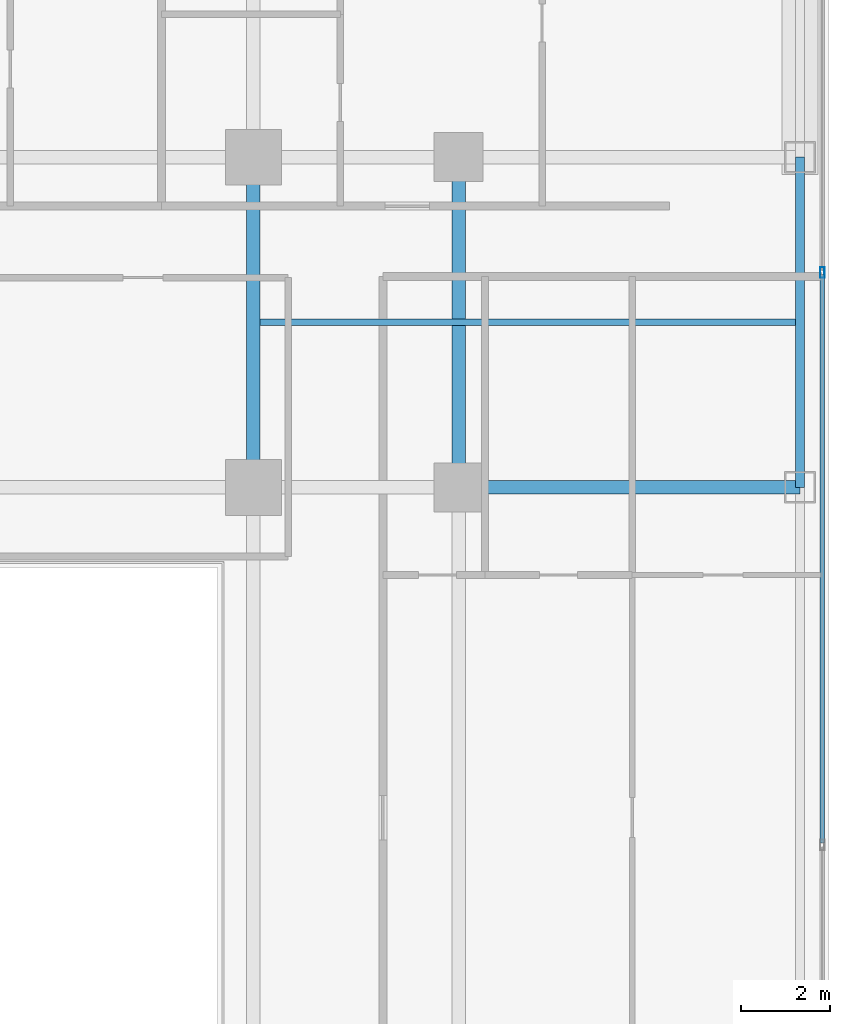
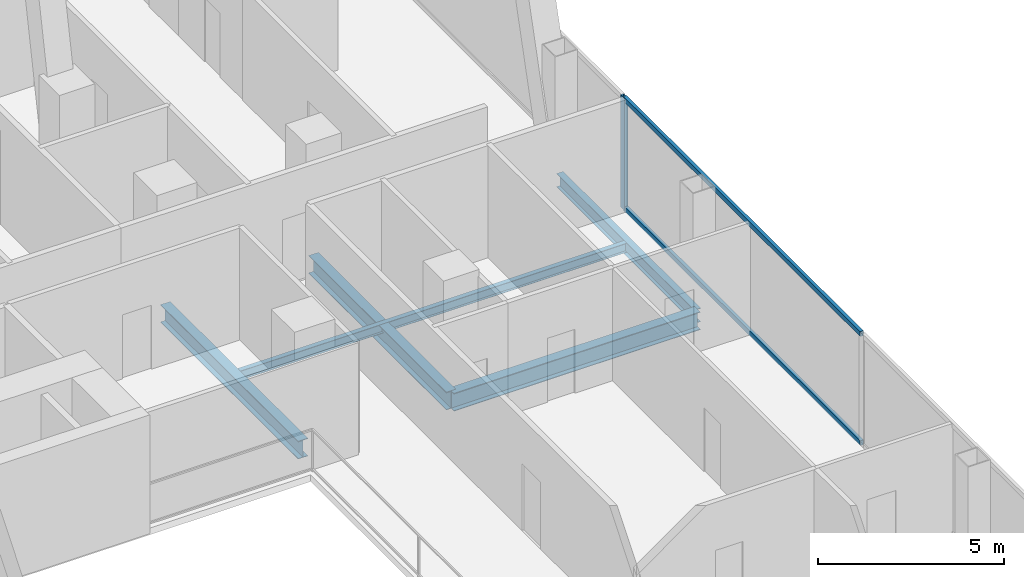
# One storey, part 12 of 28: 5 beams, 3 members, 1 element without a shape of its own.
"""IFC4 building model written with IfcOpenShell, lengths in metres."""

import ifcopenshell
import ifcopenshell.guid

model = None  # the IFC model being written
_history = None  # IfcOwnerHistory: only IFC2X3 demands one
_inside = {}  # id of a spatial element -> (the spatial element, [elements in it])
_under = {}  # id of a project, library or spatial element -> (it, [spatial elements below it])
_declared = {}  # id of a project -> (the project, [libraries it declares])
_typed = {}  # id of a type object -> (the type object, [elements of that type])
_made_of = {}  # id of a material, layer set ... -> (it, [elements and type objects made of it])


def new_model(schema):
    """Start an empty IFC model of exactly this schema.

    Asked for "IFC4X3", IfcOpenShell would pick the latest addendum, in which some entities
    have other attributes; the version numbers below select the first issue.
    IFC2X3 requires an IfcOwnerHistory on every rooted entity: one is made here for all.
    """
    global model, _history
    if schema == "IFC4X3":
        model = ifcopenshell.file(schema_version=(4, 3, 0, 0))
    else:
        model = ifcopenshell.file(schema=schema)
    _inside.clear()
    _under.clear()
    _declared.clear()
    _typed.clear()
    _made_of.clear()
    _history = None
    if model.schema == "IFC2X3":
        org = make("IfcOrganization", Name="unknown")
        user = make(
            "IfcPersonAndOrganization",
            ThePerson=make("IfcPerson", FamilyName="unknown"),
            TheOrganization=org,
        )
        app = make(
            "IfcApplication",
            ApplicationDeveloper=org,
            Version="unknown",
            ApplicationFullName="unknown",
            ApplicationIdentifier="unknown",
        )
        _history = make(
            "IfcOwnerHistory",
            OwningUser=user,
            OwningApplication=app,
            ChangeAction="ADDED",
            CreationDate=0,
        )
    return model


def make(cls, **values):
    """One entity of the class cls with the attributes given. An attribute that is None is left unset."""
    return model.create_entity(
        cls, **{name: value for name, value in values.items() if value is not None}
    )


def rooted(cls, **values):
    """An entity with a GlobalId (a new one), such as an element, a storey or a relation."""
    return make(cls, GlobalId=ifcopenshell.guid.new(), OwnerHistory=_history, **values)


def si_unit(unit_type, name, prefix=None):
    """IfcSIUnit, for example si_unit("LENGTHUNIT", "METRE", prefix="MILLI")."""
    return make("IfcSIUnit", UnitType=unit_type, Prefix=prefix, Name=name)


def assignment(units):
    """IfcUnitAssignment: the units of a project."""
    return None if units is None else make("IfcUnitAssignment", Units=units)


def point(xyz):
    """IfcCartesianPoint."""
    return None if xyz is None else make("IfcCartesianPoint", Coordinates=xyz)


def direction(xyz):
    """IfcDirection."""
    return None if xyz is None else make("IfcDirection", DirectionRatios=xyz)


def frame(location, z_axis=None, x_axis=None):
    """IfcAxis2Placement3D, a coordinate frame: its origin and axes. An axis left out is left unset."""
    return make(
        "IfcAxis2Placement3D",
        Location=point(location),
        Axis=direction(z_axis),
        RefDirection=direction(x_axis),
    )


def frame_2d(location, x_axis=None):
    """IfcAxis2Placement2D, a coordinate frame in the plane: its origin and x axis."""
    return make(
        "IfcAxis2Placement2D", Location=point(location), RefDirection=direction(x_axis)
    )


def origin():
    """The frame at (0, 0, 0) with its axes left unset."""
    return frame((0.0, 0.0, 0.0))


def origin_2d():
    """The frame at (0, 0) in the plane with its x axis left unset."""
    return frame_2d((0.0, 0.0))


def place(relative_to, where):
    """IfcLocalPlacement: puts the frame where relative to a parent placement (None: the world)."""
    return make(
        "IfcLocalPlacement", PlacementRelTo=relative_to, RelativePlacement=where
    )


def context(
    kind, dimensions, precision=None, world=None, true_north=None, identifier=None
):
    """IfcGeometricRepresentationContext, for example the 3D "Model" context."""
    return make(
        "IfcGeometricRepresentationContext",
        ContextIdentifier=identifier,
        ContextType=kind,
        CoordinateSpaceDimension=dimensions,
        Precision=precision,
        WorldCoordinateSystem=world,
        TrueNorth=true_north,
    )


def subcontext(parent, identifier, kind, view, scale=None):
    """IfcGeometricRepresentationSubContext, for example "Body" below "Model"."""
    return make(
        "IfcGeometricRepresentationSubContext",
        ContextIdentifier=identifier,
        ContextType=kind,
        ParentContext=parent,
        TargetScale=scale,
        TargetView=view,
    )


def project(units=None, contexts=None):
    """IfcProject with its units and contexts."""
    return rooted(
        "IfcProject",
        Name="project",
        RepresentationContexts=contexts,
        UnitsInContext=assignment(units),
    )


def spatial(cls, under=None, at=None, **own):
    """A site, building, storey or space (cls), placed at a placement, below another one or the project."""
    s = rooted(cls, ObjectPlacement=at, **own)
    if under is not None:
        _under.setdefault(under.id(), (under, []))[1].append(s)
    return s


def profile(cls, at=None, kind="AREA", **sizes):
    """A parametric profile (cls). Its sizes go by their IFC names, for example OverallWidth=200.0."""
    return make(cls, ProfileType=kind, Position=at, **sizes)


def hollow_rectangle(**sizes):
    """IfcRectangleHollowProfileDef."""
    return profile("IfcRectangleHollowProfileDef", **sizes)


def i_section(**sizes):
    """IfcIShapeProfileDef."""
    return profile("IfcIShapeProfileDef", **sizes)


def extrude(swept, where, along, depth):
    """IfcExtrudedAreaSolid: the profile swept, set in the frame where, extruded along a direction by depth."""
    return make(
        "IfcExtrudedAreaSolid",
        SweptArea=swept,
        Position=where,
        ExtrudedDirection=direction(along),
        Depth=depth,
    )


def shape(context_of_items, identifier, shape_type, items):
    """IfcShapeRepresentation: the items that make up one representation, for example the "Body"."""
    return make(
        "IfcShapeRepresentation",
        ContextOfItems=context_of_items,
        RepresentationIdentifier=identifier,
        RepresentationType=shape_type,
        Items=items,
    )


def material(Name=None, Category=None):
    """IfcMaterial."""
    return make("IfcMaterial", Name=Name, Category=Category)


def layer(
    of_material, thickness, ventilated=None, Name=None, Category=None, Priority=None
):
    """IfcMaterialLayer: one layer of a wall or slab, of a material (None: an air gap)."""
    return make(
        "IfcMaterialLayer",
        Material=of_material,
        LayerThickness=thickness,
        IsVentilated=ventilated,
        Name=Name,
        Category=Category,
        Priority=Priority,
    )


def layer_set(layers, Name=None):
    """IfcMaterialLayerSet."""
    return make("IfcMaterialLayerSet", MaterialLayers=layers, LayerSetName=Name)


def material_profile(
    of_material, cross_section, Name=None, Category=None, Priority=None
):
    """IfcMaterialProfile: a cross section and its material."""
    return make(
        "IfcMaterialProfile",
        Name=Name,
        Material=of_material,
        Profile=cross_section,
        Priority=Priority,
        Category=Category,
    )


def profile_set(profiles, Name=None, composite=None):
    """IfcMaterialProfileSet."""
    return make(
        "IfcMaterialProfileSet",
        Name=Name,
        MaterialProfiles=profiles,
        CompositeProfile=composite,
    )


def made_of(thing, what):
    """Note that an element or type object is made of a material, layer set ...; save() writes the relation."""
    if what is not None:
        _made_of.setdefault(what.id(), (what, []))[1].append(thing)
    return thing


def type_object(cls, material=None, **own):
    """A type object (cls), such as IfcWallType, which elements share."""
    return made_of(rooted(cls, **own), material)


def element(
    cls,
    number,
    at=None,
    inside=None,
    cuts=None,
    type_object=None,
    material=None,
    context=None,
    identifier="Body",
    shape_type=None,
    held_by="IfcProductDefinitionShape",
    body=None,
    shapes=None,
    **own,
):
    """One element of the class cls, such as IfcWall. Its Tag is "e" and its number.

    at: its placement. inside: the storey or other place that contains it. cuts: it is an
    opening in that element (IfcRelVoidsElement). A single representation is given by context,
    identifier, shape_type and body (its items); several are given by shapes. held_by: the class
    of the entity that holds the representations. save() writes the other relations.
    """
    e = rooted(cls, Tag="e%d" % number, ObjectPlacement=at, **own)
    if body is not None:
        shapes = [shape(context, identifier, shape_type, body)]
    if shapes is not None:
        e.Representation = make(held_by, Representations=shapes)
    if inside is not None:
        _inside.setdefault(inside.id(), (inside, []))[1].append(e)
    if cuts is not None:
        rooted(
            "IfcRelVoidsElement", RelatingBuildingElement=cuts, RelatedOpeningElement=e
        )
    if type_object is not None:
        _typed.setdefault(type_object.id(), (type_object, []))[1].append(e)
    return made_of(e, material)


def aggregate(whole, parts):
    """IfcRelAggregates: a whole, such as a stair, and the parts it consists of."""
    return rooted("IfcRelAggregates", RelatingObject=whole, RelatedObjects=parts)


def save(model, path):
    """Write the relations noted so far, then the file.

    IfcRelAggregates (storeys below a building ...), IfcRelContainedInSpatialStructure (elements
    in a storey), IfcRelDefinesByType, IfcRelAssociatesMaterial and IfcRelDeclares: one each for
    every whole, place, type object, material and project.
    """
    for whole, parts in _under.values():
        aggregate(whole, parts)
    for where, things in _inside.values():
        rooted(
            "IfcRelContainedInSpatialStructure",
            RelatedElements=things,
            RelatingStructure=where,
        )
    for kind, things in _typed.values():
        rooted("IfcRelDefinesByType", RelatedObjects=things, RelatingType=kind)
    for what, things in _made_of.values():
        rooted("IfcRelAssociatesMaterial", RelatedObjects=things, RelatingMaterial=what)
    for by, libraries in _declared.values():
        rooted("IfcRelDeclares", RelatingContext=by, RelatedDefinitions=libraries)
    model.write(path)


model = new_model("IFC4")

# Units and contexts
model_context = context("Model", 3, precision=1e-05, world=origin(), true_north=direction((0.0, 1.0)))
body_context = subcontext(model_context, "Body", "Model", "MODEL_VIEW")
ifc_project = project(units=[si_unit("LENGTHUNIT", "METRE"), si_unit("AREAUNIT", "SQUARE_METRE"), si_unit("VOLUMEUNIT", "CUBIC_METRE"), si_unit("PLANEANGLEUNIT", "RADIAN"), si_unit("MASSUNIT", "GRAM", prefix="KILO")], contexts=[model_context])

# Site, building, storey
site_placement = place(None, origin())
site = spatial("IfcSite", under=ifc_project, at=site_placement, CompositionType="ELEMENT")
building_placement = place(site_placement, origin())
building = spatial("IfcBuilding", under=site, at=building_placement, Name="Khorvyn Point Tower", CompositionType="ELEMENT")
storey_placement = place(building_placement, frame((0.0, 0.0, 121.199951171875)))
storey = spatial("IfcBuildingStorey", under=building, at=storey_placement, Name="L30", CompositionType="ELEMENT", Elevation=121.199951171875)

# Curtain wall, members
ifc_material_1 = material(Name="Anodised aluminium 6063-T6 and laminated Low-E glass", Category="aluminium")
ifc_layer = layer(ifc_material_1, 0.18994140625)
ifc_layer_set = layer_set([ifc_layer], Name="Stick-Built Acoustic Curtain Wall CW-SYS-03")
curtain_wall_type = type_object("IfcCurtainWallType", Name="Stick-Built Acoustic Curtain Wall CW-SYS-03", PredefinedType="NOTDEFINED", material=ifc_layer_set)
curtain_wall_placement = place(storey_placement, origin())
curtain_wall = element("IfcCurtainWall", 1, at=curtain_wall_placement, inside=storey, type_object=curtain_wall_type, Name="Curtain Wall", PredefinedType="NOTDEFINED")
ifc_material_2 = material(Name="Anodised aluminium 6063-T6", Category="aluminium")
ifc_material_profile_1 = material_profile(ifc_material_2, hollow_rectangle(XDim=0.10009765625, YDim=0.239990234375, WallThickness=0.0048828125, at=origin_2d()))
ifc_profile_set_1 = profile_set([ifc_material_profile_1], Name="Anodised aluminium 6063-T6 ALU-MUL-100x240")
member_type_1 = type_object("IfcMemberType", Name="Anodised Aluminium 6063-T6 Mullion ALU-MUL-100x240", PredefinedType="MULLION", material=ifc_profile_set_1)
member_1_placement = place(storey_placement, frame((27.550048828125, 12.216552734375, 0.0), z_axis=(0.0, 0.0, 1.0), x_axis=(1.0, 0.0, 0.0)))
member_1 = element("IfcMember", 2, at=member_1_placement, type_object=member_type_1, Name="Transom", PredefinedType="MULLION", context=body_context, shape_type="SweptSolid", body=[
    extrude(hollow_rectangle(XDim=0.10009765625, YDim=0.239990234375, WallThickness=0.0048828125, at=origin_2d()), origin(), (0.0, 0.0, 1.0), 3.679931640625),
])
ifc_material_profile_2 = material_profile(ifc_material_2, hollow_rectangle(XDim=0.10009765625, YDim=0.159912109375, WallThickness=0.00439453125, at=origin_2d()))
ifc_profile_set_2 = profile_set([ifc_material_profile_2], Name="Anodised aluminium 6063-T6 ALU-TRN-100x160")
member_type_2 = type_object("IfcMemberType", Name="Anodised Aluminium 6063-T6 Transom ALU-TRN-100x160", PredefinedType="USERDEFINED", material=ifc_profile_set_2)
member_2_placement = place(storey_placement, frame((27.550048828125, 12.166748046875, 0.050048828125), z_axis=(0.0, -1.0, 0.0), x_axis=(1.0, 0.0, 0.0)))
member_2 = element("IfcMember", 3, at=member_2_placement, type_object=member_type_2, Name="Transom", ObjectType="TRANSOM", PredefinedType="USERDEFINED", context=body_context, shape_type="SweptSolid", body=[
    extrude(hollow_rectangle(XDim=0.10009765625, YDim=0.159912109375, WallThickness=0.00439453125, at=origin_2d()), origin(), (0.0, 0.0, 1.0), 12.7333984375),
])
member_3_placement = place(storey_placement, frame((27.550048828125, 12.166748046875, 3.630126953125), z_axis=(0.0, -1.0, 0.0), x_axis=(1.0, 0.0, 0.0)))
member_3 = element("IfcMember", 4, at=member_3_placement, type_object=member_type_2, Name="Transom", ObjectType="TRANSOM", PredefinedType="USERDEFINED", context=body_context, shape_type="SweptSolid", body=[
    extrude(hollow_rectangle(XDim=0.10009765625, YDim=0.159912109375, WallThickness=0.00439453125, at=origin_2d()), origin(), (0.0, 0.0, 1.0), 12.7333984375),
])
aggregate(curtain_wall, [member_1, member_2, member_3])

# Beams
ifc_material_3 = material(Name="Steel S355", Category="steel")
ifc_material_profile_3 = material_profile(ifc_material_3, i_section(OverallWidth=0.300048828125, OverallDepth=0.587890625, WebThickness=0.011962890625, FlangeThickness=0.02001953125, at=origin_2d()))
ifc_profile_set_3 = profile_set([ifc_material_profile_3], Name="Steel S355 H588x300x12x20")
beam_type_1 = type_object("IfcBeamType", Name="Steel S355 Beam H588x300x12x20", PredefinedType="BEAM", material=ifc_profile_set_3)
beam_1_placement = place(storey_placement, frame((19.39990234375, 7.39990234375, -0.513916015625), z_axis=(1.0, 0.0, 0.0), x_axis=(0.0, 1.0, 0.0)))
element("IfcBeam", 5, at=beam_1_placement, inside=storey, type_object=beam_type_1, Name="Beam", PredefinedType="BEAM", context=body_context, shape_type="SweptSolid", body=[
    extrude(i_section(OverallWidth=0.300048828125, OverallDepth=0.587890625, WebThickness=0.011962890625, FlangeThickness=0.02001953125, at=origin_2d()), origin(), (0.0, 0.0, 1.0), 7.650146484375),
])
for number, where, z_axis, x_axis, name in (
    (6, (14.800048828125, 7.39990234375, -0.513916015625), (0.0, 1.0, 0.0), (-1.0, 0.0, 0.0), "Beam"),
    (7, (19.39990234375, 7.39990234375, -0.513916015625), (0.0, 1.0, 0.0), (-1.0, 0.0, 0.0), "Beam"),
):
    element("IfcBeam", number, at=place(storey_placement, frame(where, z_axis=z_axis, x_axis=x_axis)), inside=storey, type_object=beam_type_1, Name=name, PredefinedType="BEAM", context=body_context, shape_type="SweptSolid", body=[
        extrude(i_section(OverallWidth=0.300048828125, OverallDepth=0.587890625, WebThickness=0.011962890625, FlangeThickness=0.02001953125, at=origin_2d()), origin(), (0.0, 0.0, 1.0), 7.400146484375),
    ])
ifc_material_profile_4 = material_profile(ifc_material_3, i_section(OverallWidth=0.14990234375, OverallDepth=0.300048828125, WebThickness=0.006591796875, FlangeThickness=0.009033203125, at=origin_2d()))
ifc_profile_set_4 = profile_set([ifc_material_profile_4], Name="Steel S355 H300x150x6.5x9")
beam_type_2 = type_object("IfcBeamType", Name="Steel S355 Joist H300x150x6.5x9", PredefinedType="JOIST", material=ifc_profile_set_4)
beam_2_placement = place(storey_placement, frame((14.949951171875, 11.10009765625, -0.369873046875), z_axis=(1.0, 0.0, 0.0), x_axis=(0.0, 1.0, 0.0)))
element("IfcBeam", 8, at=beam_2_placement, inside=storey, type_object=beam_type_2, Name="Beam", PredefinedType="JOIST", context=body_context, shape_type="SweptSolid", body=[
    extrude(i_section(OverallWidth=0.14990234375, OverallDepth=0.300048828125, WebThickness=0.006591796875, FlangeThickness=0.009033203125, at=origin_2d()), origin(), (0.0, 0.0, 1.0), 12.0),
])
ifc_material_profile_5 = material_profile(ifc_material_3, i_section(OverallWidth=0.199951171875, OverallDepth=0.449951171875, WebThickness=0.009033203125, FlangeThickness=0.013916015625, at=origin_2d()))
ifc_profile_set_5 = profile_set([ifc_material_profile_5], Name="Steel S355 H450x200x9x14")
beam_type_3 = type_object("IfcBeamType", Name="Steel S355 Spandrel H450x200x9x14", PredefinedType="SPANDREL", material=ifc_profile_set_5)
beam_3_placement = place(storey_placement, frame((27.050048828125, 7.39990234375, -0.445068359375), z_axis=(0.0, 1.0, 0.0), x_axis=(-1.0, 0.0, 0.0)))
element("IfcBeam", 9, at=beam_3_placement, inside=storey, type_object=beam_type_3, Name="Beam", PredefinedType="SPANDREL", context=body_context, shape_type="SweptSolid", body=[
    extrude(i_section(OverallWidth=0.199951171875, OverallDepth=0.449951171875, WebThickness=0.009033203125, FlangeThickness=0.013916015625, at=origin_2d()), origin(), (0.0, 0.0, 1.0), 7.400146484375),
])

save(model, "model.ifc")
